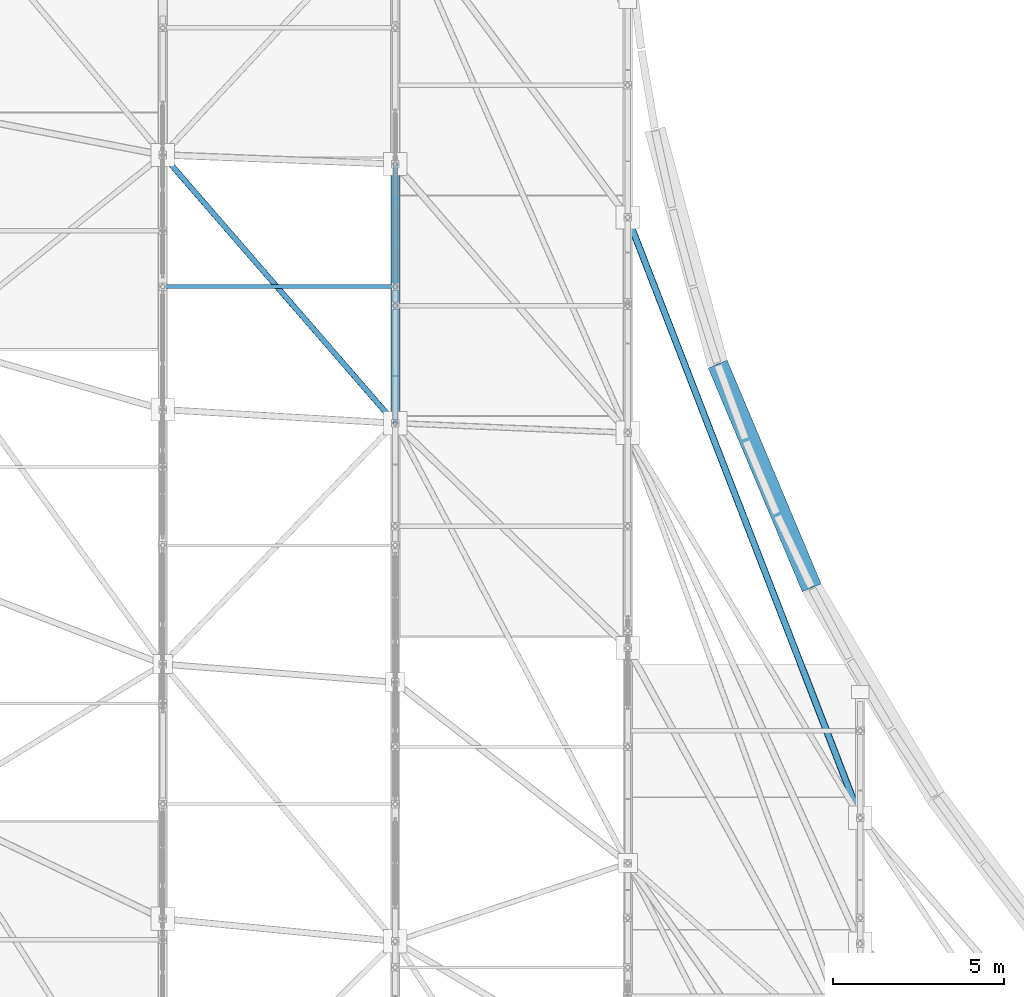
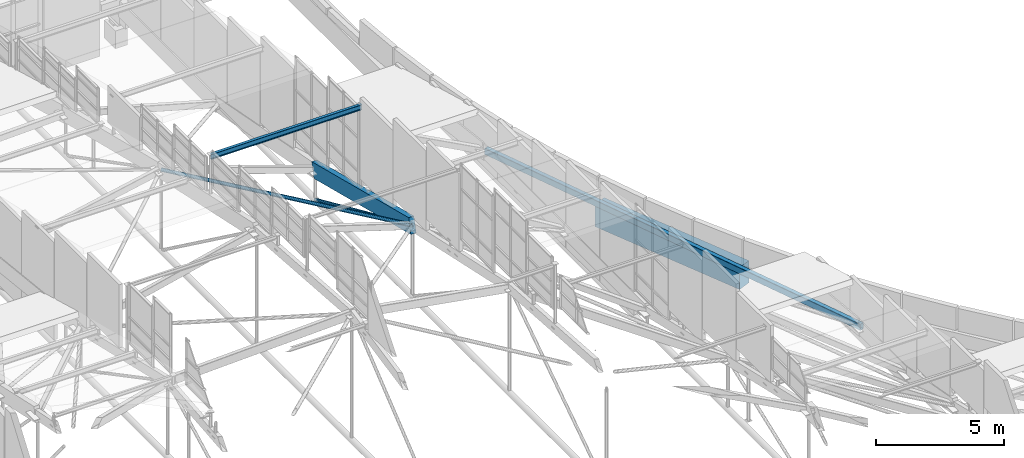
# One storey, part 52 of 188: 5 members, 1 beam.
"""IFC4 building model written with IfcOpenShell, lengths in metres."""

from ifc_helpers import new_model, si_unit, direction, frame, origin, origin_2d, place, context, subcontext, project, spatial, rectangle, hollow_rectangle, hollow_circle, i_section, extrude, material, material_profile, profile_set, type_object, element, save


model = new_model("IFC4")

# Units and contexts
model_context = context("Model", 3, precision=1e-05, world=origin(), true_north=direction((0.0, 1.0)))
body_context = subcontext(model_context, "Body", "Model", "MODEL_VIEW")
ifc_project = project(units=[si_unit("LENGTHUNIT", "METRE"), si_unit("AREAUNIT", "SQUARE_METRE"), si_unit("VOLUMEUNIT", "CUBIC_METRE"), si_unit("PLANEANGLEUNIT", "RADIAN"), si_unit("MASSUNIT", "GRAM", prefix="KILO")], contexts=[model_context])

# Site, building, storey
site_placement = place(None, origin())
site = spatial("IfcSite", under=ifc_project, at=site_placement, CompositionType="ELEMENT")
building_placement = place(site_placement, origin())
building = spatial("IfcBuilding", under=site, at=building_placement, Name="Kisaragi Civic Commons", CompositionType="ELEMENT")
storey_placement = place(building_placement, frame((0.0, 0.0, 9.60009765625)))
storey = spatial("IfcBuildingStorey", under=building, at=storey_placement, Name="L02", CompositionType="ELEMENT", Elevation=9.60009765625)

# Member
ifc_material_1 = material(Name="Steel SN400 (SN400B)", Category="steel")
ifc_material_profile_1 = material_profile(ifc_material_1, hollow_circle(Radius=0.08251953125, WallThickness=0.006103515625, at=origin_2d()), Name="CHS-165.2x6.0", Category="steel")
ifc_profile_set_1 = profile_set([ifc_material_profile_1], Name="Steel SN400 (SN400B)")
member_type_1 = type_object("IfcMemberType", Name="BR-02", PredefinedType="BRACE", material=ifc_profile_set_1)
member_1_placement = place(storey_placement, frame((13.60009765625, 47.51025390625, 3.15869140625), z_axis=(0.654836860604, -0.755277154604, -0.027296624844), x_axis=(0.755558692613, 0.655080958369, 0.0)))
element("IfcMember", 1, at=member_1_placement, inside=storey, type_object=member_type_1, Name="V1 diagonal gridshell steel brace 17", PredefinedType="BRACE", context=body_context, shape_type="SweptSolid", body=[
    extrude(hollow_circle(Radius=0.08251953125, WallThickness=0.006103515625, at=origin_2d()), origin(), (0.0, 0.0, 1.0), 10.384033203125),
])

# Beam
ifc_material_2 = material(Name="Concrete Fc36", Category="concrete")
ifc_material_profile_2 = material_profile(ifc_material_2, rectangle(XDim=0.60009765625, YDim=1.050048828125, at=origin_2d()), Name="RC-600x1050", Category="concrete")
ifc_profile_set_2 = profile_set([ifc_material_profile_2], Name="Concrete Fc36")
beam_type = type_object("IfcBeamType", Name="G-06", PredefinedType="BEAM", material=ifc_profile_set_2)
beam_placement = place(storey_placement, frame((29.83056640625, 41.39599609375, -0.84521484375), z_axis=(0.387489687919, -0.921874037901, 0.0), x_axis=(0.921874037901, 0.387489687919, 0.0)))
element("IfcBeam", 2, at=beam_placement, inside=storey, type_object=beam_type, Name="L02 curved spandrel/ring girder G-06 251", PredefinedType="BEAM", context=body_context, shape_type="SweptSolid", body=[
    extrude(rectangle(XDim=0.60009765625, YDim=1.050048828125, at=origin_2d()), origin(), (0.0, 0.0, 1.0), 7.10009765625),
])

# Members
ifc_material_3 = material(Name="Steel SN490 (SN490B)", Category="steel")
ifc_material_profile_3 = material_profile(ifc_material_3, hollow_rectangle(XDim=0.199951171875, YDim=0.300048828125, WallThickness=0.009033203125, InnerFilletRadius=0.009033203125, OuterFilletRadius=0.01806640625, at=origin_2d()), Name="STKR-300x200x9", Category="steel")
ifc_profile_set_3 = profile_set([ifc_material_profile_3], Name="Steel SN490 (SN490B)")
member_type_2 = type_object("IfcMemberType", Name="GC-02", PredefinedType="CHORD", material=ifc_profile_set_3)
member_2_placement = place(storey_placement, frame((27.199951171875, 45.684326171875, 0.415771484375), z_axis=(0.361206434509, -0.932460641961, -0.006860237815), x_axis=(0.932482584869, 0.361214934514, 0.0)))
element("IfcMember", 3, at=member_2_placement, inside=storey, type_object=member_type_2, Name="V1 wave gridshell chord GC-02 35", PredefinedType="CHORD", context=body_context, shape_type="SweptSolid", body=[
    extrude(hollow_rectangle(XDim=0.199951171875, YDim=0.300048828125, WallThickness=0.009033203125, InnerFilletRadius=0.009033203125, OuterFilletRadius=0.01806640625, at=origin_2d()), origin(), (0.0, 0.0, 1.0), 18.825927734375),
])
ifc_material_4 = material(Name="Glulam E120-F330", Category="wood")
ifc_material_profile_4 = material_profile(ifc_material_4, rectangle(XDim=0.239990234375, YDim=0.719970703125, at=origin_2d()), Name="GL-240x720", Category="wood")
ifc_profile_set_4 = profile_set([ifc_material_profile_4], Name="Glulam E120-F330")
member_type_3 = type_object("IfcMemberType", Name="GR-02", PredefinedType="RAFTER", material=ifc_profile_set_4)
member_3_placement = place(storey_placement, frame((20.39990234375, 39.66748046875, 2.875244140625), z_axis=(0.0, 0.969265528357, -0.246016941568), x_axis=(-1.0, 0.0, 0.0)))
element("IfcMember", 4, at=member_3_placement, inside=storey, type_object=member_type_3, Name="V1 glulam arch rib GR-02 30", PredefinedType="RAFTER", context=body_context, shape_type="SweptSolid", body=[
    extrude(rectangle(XDim=0.239990234375, YDim=0.719970703125, at=origin_2d()), origin(), (0.0, 0.0, 1.0), 7.81787109375),
])
ifc_material_profile_5 = material_profile(ifc_material_1, i_section(OverallWidth=0.125, OverallDepth=0.25, WebThickness=0.006103515625, FlangeThickness=0.009033203125, FilletRadius=0.008056640625, at=origin_2d()), Name="H-250x125x6x9", Category="steel")
ifc_profile_set_5 = profile_set([ifc_material_profile_5], Name="Steel SN400 (SN400B)")
member_type_4 = type_object("IfcMemberType", Name="PR-01", PredefinedType="PURLIN", material=ifc_profile_set_5)
member_4_placement = place(storey_placement, frame((13.60009765625, 43.66162109375, 6.117919921875), z_axis=(1.0, 0.0, 0.0), x_axis=(0.0, 1.0, 0.0)))
element("IfcMember", 5, at=member_4_placement, inside=storey, type_object=member_type_4, Name="V1 wave vault steel purlin 22", PredefinedType="PURLIN", context=body_context, shape_type="SweptSolid", body=[
    extrude(i_section(OverallWidth=0.125, OverallDepth=0.25, WebThickness=0.006103515625, FlangeThickness=0.009033203125, FilletRadius=0.008056640625, at=origin_2d()), origin(), (0.0, 0.0, 1.0), 6.7998046875),
])
ifc_material_profile_6 = material_profile(ifc_material_3, hollow_circle(Radius=0.06982421875, WallThickness=0.006103515625, at=origin_2d()), Name="CHS-139.8x6.0", Category="steel")
ifc_profile_set_6 = profile_set([ifc_material_profile_6], Name="Steel SN490 (SN490B)")
member_type_5 = type_object("IfcMemberType", Name="ST-H1", PredefinedType="STRUT", material=ifc_profile_set_6)
member_5_placement = place(storey_placement, frame((20.39990234375, 47.2451171875, -0.49951171875), z_axis=(0.0, -0.913501795089, 0.406834696614), x_axis=(1.0, 0.0, 0.0)))
element("IfcMember", 6, at=member_5_placement, inside=storey, type_object=member_type_5, Name="V1 tied arch truss diagonal web strut 54", PredefinedType="STRUT", context=body_context, shape_type="SweptSolid", body=[
    extrude(hollow_circle(Radius=0.06982421875, WallThickness=0.006103515625, at=origin_2d()), origin(), (0.0, 0.0, 1.0), 8.295166015625),
])

save(model, "model.ifc")
